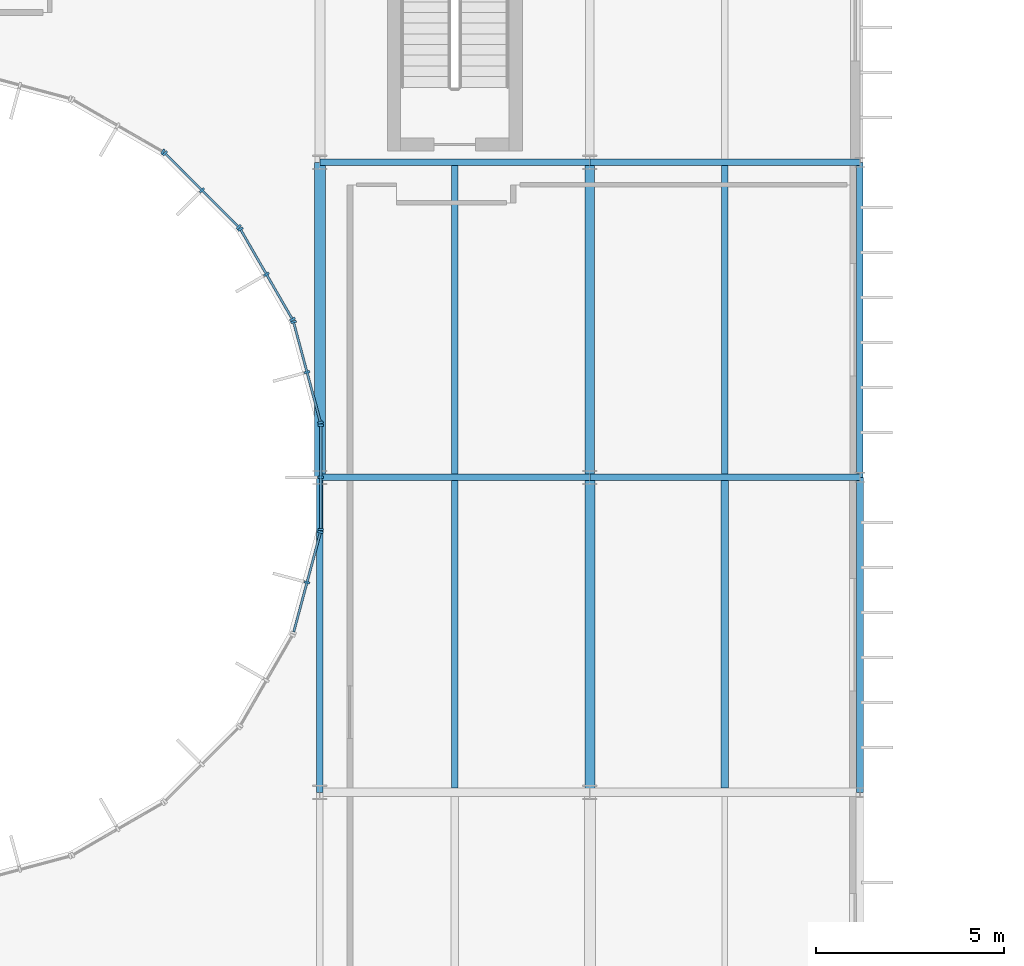
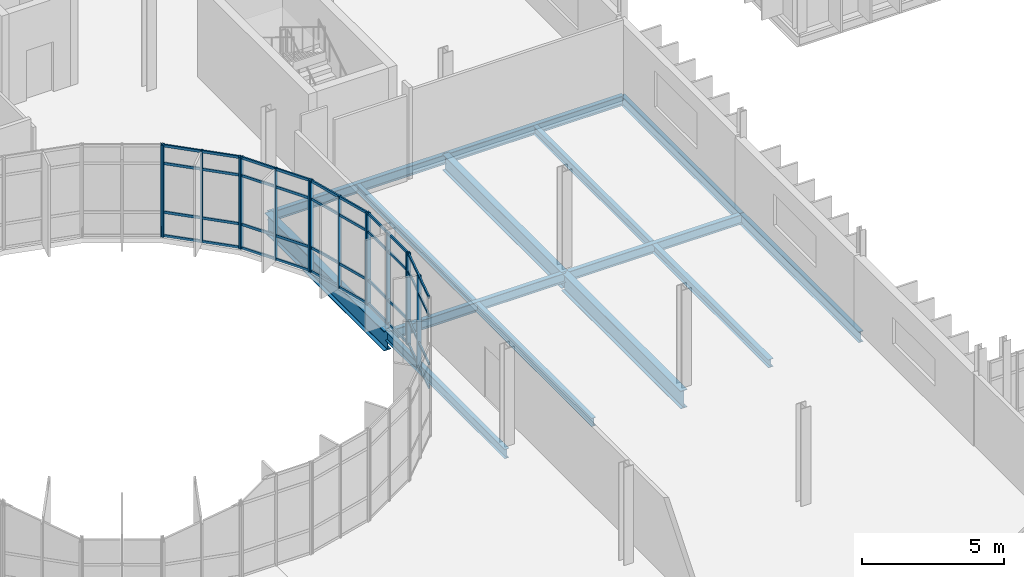
# One storey, part 49 of 119: 35 members, 14 beams, 6 elements without a shape of their own.
"""IFC4 building model written with IfcOpenShell, lengths in metres."""

from ifc_helpers import new_model, si_unit, direction, frame, origin, origin_2d, place, context, subcontext, project, spatial, rectangle, i_section, extrude, material, material_profile, profile_set, type_object, element, aggregate, save


model = new_model("IFC4")

# Units and contexts
model_context = context("Model", 3, precision=1e-05, world=origin(), true_north=direction((0.0, 1.0)))
body_context = subcontext(model_context, "Body", "Model", "MODEL_VIEW")
ifc_project = project(units=[si_unit("LENGTHUNIT", "METRE"), si_unit("AREAUNIT", "SQUARE_METRE"), si_unit("VOLUMEUNIT", "CUBIC_METRE"), si_unit("PLANEANGLEUNIT", "RADIAN"), si_unit("MASSUNIT", "GRAM", prefix="KILO")], contexts=[model_context])

# Site, building, storey
site_placement = place(None, origin())
site = spatial("IfcSite", under=ifc_project, at=site_placement, CompositionType="ELEMENT")
building_placement = place(site_placement, origin())
building = spatial("IfcBuilding", under=site, at=building_placement, Name="Qelthora Terrace Specialist Clinic", CompositionType="ELEMENT")
storey_placement = place(building_placement, frame((0.0, 0.0, 4.800048828125)))
storey = spatial("IfcBuildingStorey", under=building, at=storey_placement, Name="L01", CompositionType="ELEMENT", Elevation=4.800048828125)

# Beams
ifc_material_1 = material(Name="Steel S355", Category="steel")
ifc_material_profile_1 = material_profile(ifc_material_1, i_section(OverallWidth=0.178955078125, OverallDepth=0.409912109375, WebThickness=0.0087890625, FlangeThickness=0.014404296875, FilletRadius=0.011962890625, at=origin_2d()), Name="W410X67")
ifc_profile_set_1 = profile_set([ifc_material_profile_1], Name="Steel S355")
beam_type_1 = type_object("IfcBeamType", Name="BM-W410X67", PredefinedType="BEAM", material=ifc_profile_set_1)
for number, where, z_axis, x_axis, name in (
    (1, (43.199951171875, 84.0, -0.455078125), (1.0, 0.0, 0.0), (0.0, 1.0, 0.0), "Girder BMX-L01-0278"),
    (2, (36.0, 92.39990234375, -0.455078125), (1.0, 0.0, 0.0), (0.0, 1.0, 0.0), "Girder BMX-L01-0290"),
):
    element("IfcBeam", number, at=place(storey_placement, frame(where, z_axis=z_axis, x_axis=x_axis)), inside=storey, type_object=beam_type_1, Name=name, PredefinedType="BEAM", context=body_context, shape_type="SweptSolid", body=[
        extrude(i_section(OverallWidth=0.178955078125, OverallDepth=0.409912109375, WebThickness=0.0087890625, FlangeThickness=0.014404296875, FilletRadius=0.011962890625, at=origin_2d()), origin(), (0.0, 0.0, 1.0), 7.199951171875),
    ])
beam_1_placement = place(storey_placement, frame((36.0, 75.60009765625, -0.455078125), z_axis=(0.0, 1.0, 0.0), x_axis=(-1.0, 0.0, 0.0)))
element("IfcBeam", 3, at=beam_1_placement, inside=storey, type_object=beam_type_1, Name="Girder BMY-L01-0400", PredefinedType="BEAM", context=body_context, shape_type="SweptSolid", body=[
    extrude(i_section(OverallWidth=0.178955078125, OverallDepth=0.409912109375, WebThickness=0.0087890625, FlangeThickness=0.014404296875, FilletRadius=0.011962890625, at=origin_2d()), origin(), (0.0, 0.0, 1.0), 8.39990234375),
])
ifc_material_profile_2 = material_profile(ifc_material_1, i_section(OverallWidth=0.179931640625, OverallDepth=0.4130859375, WebThickness=0.009765625, FlangeThickness=0.01611328125, FilletRadius=0.011962890625, at=origin_2d()), Name="W410X75")
ifc_profile_set_2 = profile_set([ifc_material_profile_2], Name="Steel S355")
beam_type_2 = type_object("IfcBeamType", Name="BM-W410X75", PredefinedType="BEAM", material=ifc_profile_set_2)
for number, where, z_axis, x_axis, name in (
    (4, (36.0, 84.0, -0.45654296875), (1.0, 0.0, 0.0), (0.0, 1.0, 0.0), "Girder BMX-L01-0277"),
    (5, (43.199951171875, 92.39990234375, -0.45654296875), (1.0, 0.0, 0.0), (0.0, 1.0, 0.0), "Girder BMX-L01-0291"),
):
    element("IfcBeam", number, at=place(storey_placement, frame(where, z_axis=z_axis, x_axis=x_axis)), inside=storey, type_object=beam_type_2, Name=name, PredefinedType="BEAM", context=body_context, shape_type="SweptSolid", body=[
        extrude(i_section(OverallWidth=0.179931640625, OverallDepth=0.4130859375, WebThickness=0.009765625, FlangeThickness=0.01611328125, FilletRadius=0.011962890625, at=origin_2d()), origin(), (0.0, 0.0, 1.0), 7.199951171875),
    ])
beam_2_placement = place(storey_placement, frame((50.39990234375, 84.0, -0.45654296875), z_axis=(0.0, 1.0, 0.0), x_axis=(-1.0, 0.0, 0.0)))
element("IfcBeam", 6, at=beam_2_placement, inside=storey, type_object=beam_type_2, Name="Girder BMY-L01-0419", PredefinedType="BEAM", context=body_context, shape_type="SweptSolid", body=[
    extrude(i_section(OverallWidth=0.179931640625, OverallDepth=0.4130859375, WebThickness=0.009765625, FlangeThickness=0.01611328125, FilletRadius=0.011962890625, at=origin_2d()), origin(), (0.0, 0.0, 1.0), 8.39990234375),
])
ifc_material_profile_3 = material_profile(ifc_material_1, i_section(OverallWidth=0.19091796875, OverallDepth=0.4599609375, WebThickness=0.010009765625, FlangeThickness=0.01611328125, FilletRadius=0.012939453125, at=origin_2d()), Name="W460X82")
ifc_profile_set_3 = profile_set([ifc_material_profile_3], Name="Steel S355")
beam_type_3 = type_object("IfcBeamType", Name="BM-W460X82", PredefinedType="BEAM", material=ifc_profile_set_3)
beam_3_placement = place(storey_placement, frame((50.39990234375, 75.60009765625, -0.47998046875), z_axis=(0.0, 1.0, 0.0), x_axis=(-1.0, 0.0, 0.0)))
element("IfcBeam", 7, at=beam_3_placement, inside=storey, type_object=beam_type_3, Name="Girder BMY-L01-0418", PredefinedType="BEAM", context=body_context, shape_type="SweptSolid", body=[
    extrude(i_section(OverallWidth=0.19091796875, OverallDepth=0.4599609375, WebThickness=0.010009765625, FlangeThickness=0.01611328125, FilletRadius=0.012939453125, at=origin_2d()), origin(), (0.0, 0.0, 1.0), 8.39990234375),
])
ifc_material_profile_4 = material_profile(ifc_material_1, i_section(OverallWidth=0.256103515625, OverallDepth=0.693115234375, WebThickness=0.014404296875, FlangeThickness=0.023681640625, FilletRadius=0.01806640625, at=origin_2d()), Name="W690X170")
ifc_profile_set_4 = profile_set([ifc_material_profile_4], Name="Steel S355")
beam_type_4 = type_object("IfcBeamType", Name="BM-W690X170", PredefinedType="BEAM", material=ifc_profile_set_4)
beam_4_placement = place(storey_placement, frame((43.199951171875, 84.0, -0.596435546875), z_axis=(0.0, 1.0, 0.0), x_axis=(-1.0, 0.0, 0.0)))
element("IfcBeam", 8, at=beam_4_placement, inside=storey, type_object=beam_type_4, Name="Girder BMY-L01-0413", PredefinedType="BEAM", context=body_context, shape_type="SweptSolid", body=[
    extrude(i_section(OverallWidth=0.256103515625, OverallDepth=0.693115234375, WebThickness=0.014404296875, FlangeThickness=0.023681640625, FilletRadius=0.01806640625, at=origin_2d()), origin(), (0.0, 0.0, 1.0), 8.39990234375),
])
ifc_material_profile_5 = material_profile(ifc_material_1, i_section(OverallWidth=0.26806640625, OverallDepth=0.77001953125, WebThickness=0.015625, FlangeThickness=0.025390625, FilletRadius=0.01904296875, at=origin_2d()), Name="W760X196")
ifc_profile_set_5 = profile_set([ifc_material_profile_5], Name="Steel S355")
beam_type_5 = type_object("IfcBeamType", Name="BM-W760X196", PredefinedType="BEAM", material=ifc_profile_set_5)
beam_5_placement = place(storey_placement, frame((43.199951171875, 75.60009765625, -0.635009765625), z_axis=(0.0, 1.0, 0.0), x_axis=(-1.0, 0.0, 0.0)))
element("IfcBeam", 9, at=beam_5_placement, inside=storey, type_object=beam_type_5, Name="Girder BMY-L01-0412", PredefinedType="BEAM", context=body_context, shape_type="SweptSolid", body=[
    extrude(i_section(OverallWidth=0.26806640625, OverallDepth=0.77001953125, WebThickness=0.015625, FlangeThickness=0.025390625, FilletRadius=0.01904296875, at=origin_2d()), origin(), (0.0, 0.0, 1.0), 8.39990234375),
])
ifc_material_profile_6 = material_profile(ifc_material_1, i_section(OverallWidth=0.2939453125, OverallDepth=0.85107421875, WebThickness=0.01611328125, FlangeThickness=0.02685546875, FilletRadius=0.02001953125, at=origin_2d()), Name="W840X226")
ifc_profile_set_6 = profile_set([ifc_material_profile_6], Name="Steel S355")
beam_type_6 = type_object("IfcBeamType", Name="BM-W840X226", PredefinedType="BEAM", material=ifc_profile_set_6)
beam_6_placement = place(storey_placement, frame((36.0, 84.0, -0.675537109375), z_axis=(0.0, 1.0, 0.0), x_axis=(-1.0, 0.0, 0.0)))
element("IfcBeam", 10, at=beam_6_placement, inside=storey, type_object=beam_type_6, Name="Girder BMY-L01-0401", PredefinedType="BEAM", context=body_context, shape_type="SweptSolid", body=[
    extrude(i_section(OverallWidth=0.2939453125, OverallDepth=0.85107421875, WebThickness=0.01611328125, FlangeThickness=0.02685546875, FilletRadius=0.02001953125, at=origin_2d()), origin(), (0.0, 0.0, 1.0), 8.39990234375),
])

# Curtain wall, members
ifc_material_2 = material(Name="Aluminium anodized bronze", Category="aluminium")
curtain_wall_type = type_object("IfcCurtainWallType", Name="CW-CRTW-UPP", PredefinedType="NOTDEFINED", material=ifc_material_2)
curtain_wall_1_placement = place(storey_placement, origin())
curtain_wall_1 = element("IfcCurtainWall", 11, at=curtain_wall_1_placement, inside=storey, type_object=curtain_wall_type, Name="Curtain wall CW-CW-L01-01", PredefinedType="NOTDEFINED")
ifc_material_profile_7 = material_profile(ifc_material_2, rectangle(XDim=0.06005859375, YDim=0.14990234375, at=origin_2d()), Name="CWM60X150")
ifc_profile_set_7 = profile_set([ifc_material_profile_7], Name="Aluminium anodized bronze")
member_type_1 = type_object("IfcMemberType", Name="CWM-60X150", PredefinedType="MULLION", material=ifc_profile_set_7)
member_1_placement = place(storey_placement, frame((36.018310546875, 85.4599609375, 0.0), z_axis=(0.0, 0.0, 1.0), x_axis=(-0.258820356987, 0.96592547477, 0.0)))
member_1 = element("IfcMember", 12, at=member_1_placement, type_object=member_type_1, Name="CW-CW-L01-01 mullion 1", PredefinedType="MULLION", context=body_context, shape_type="SweptSolid", body=[
    extrude(rectangle(XDim=0.06005859375, YDim=0.14990234375, at=origin_2d()), origin(), (0.0, 0.0, 1.0), 3.945068359375),
])
member_2_placement = place(storey_placement, frame((35.65869140625, 86.802490234375, 0.0), z_axis=(0.0, 0.0, 1.0), x_axis=(-0.258820356987, 0.96592547477, 0.0)))
member_2 = element("IfcMember", 13, at=member_2_placement, type_object=member_type_1, Name="CW-CW-L01-01 mullion 2", PredefinedType="MULLION", context=body_context, shape_type="SweptSolid", body=[
    extrude(rectangle(XDim=0.06005859375, YDim=0.14990234375, at=origin_2d()), origin(), (0.0, 0.0, 1.0), 3.945068359375),
])
member_3_placement = place(storey_placement, frame((35.299072265625, 88.144775390625, 0.0), z_axis=(0.0, 0.0, 1.0), x_axis=(-0.258820356987, 0.96592547477, 0.0)))
member_3 = element("IfcMember", 14, at=member_3_placement, type_object=member_type_1, Name="CW-CW-L01-01 mullion 3", PredefinedType="MULLION", context=body_context, shape_type="SweptSolid", body=[
    extrude(rectangle(XDim=0.06005859375, YDim=0.14990234375, at=origin_2d()), origin(), (0.0, 0.0, 1.0), 3.945068359375),
])

curtain_wall_2_placement = place(storey_placement, origin())
curtain_wall_2 = element("IfcCurtainWall", 15, at=curtain_wall_2_placement, inside=storey, type_object=curtain_wall_type, Name="Curtain wall CW-CW-L01-02", PredefinedType="NOTDEFINED")
member_4_placement = place(storey_placement, frame((35.271728515625, 88.210205078125, 0.0), z_axis=(0.0, 0.0, 1.0), x_axis=(-0.499999597971, 0.866025635896, 0.0)))
member_4 = element("IfcMember", 16, at=member_4_placement, type_object=member_type_1, Name="CW-CW-L01-02 mullion 1", PredefinedType="MULLION", context=body_context, shape_type="SweptSolid", body=[
    extrude(rectangle(XDim=0.06005859375, YDim=0.14990234375, at=origin_2d()), origin(), (0.0, 0.0, 1.0), 3.945068359375),
])
member_5_placement = place(storey_placement, frame((34.576904296875, 89.413818359375, 0.0), z_axis=(0.0, 0.0, 1.0), x_axis=(-0.499999597971, 0.866025635896, 0.0)))
member_5 = element("IfcMember", 17, at=member_5_placement, type_object=member_type_1, Name="CW-CW-L01-02 mullion 2", PredefinedType="MULLION", context=body_context, shape_type="SweptSolid", body=[
    extrude(rectangle(XDim=0.06005859375, YDim=0.14990234375, at=origin_2d()), origin(), (0.0, 0.0, 1.0), 3.945068359375),
])
member_6_placement = place(storey_placement, frame((33.882080078125, 90.6171875, 0.0), z_axis=(0.0, 0.0, 1.0), x_axis=(-0.499999597971, 0.866025635896, 0.0)))
member_6 = element("IfcMember", 18, at=member_6_placement, type_object=member_type_1, Name="CW-CW-L01-02 mullion 3", PredefinedType="MULLION", context=body_context, shape_type="SweptSolid", body=[
    extrude(rectangle(XDim=0.06005859375, YDim=0.14990234375, at=origin_2d()), origin(), (0.0, 0.0, 1.0), 3.945068359375),
])

curtain_wall_3_placement = place(storey_placement, origin())
curtain_wall_3 = element("IfcCurtainWall", 19, at=curtain_wall_3_placement, inside=storey, type_object=curtain_wall_type, Name="Curtain wall CW-CW-L01-03", PredefinedType="NOTDEFINED")
member_7_placement = place(storey_placement, frame((33.8388671875, 90.673583984375, 0.0), z_axis=(0.0, 0.0, 1.0), x_axis=(-0.707106781187, 0.707106781187, 0.0)))
member_7 = element("IfcMember", 20, at=member_7_placement, type_object=member_type_1, Name="CW-CW-L01-03 mullion 1", PredefinedType="MULLION", context=body_context, shape_type="SweptSolid", body=[
    extrude(rectangle(XDim=0.06005859375, YDim=0.14990234375, at=origin_2d()), origin(), (0.0, 0.0, 1.0), 3.945068359375),
])
member_8_placement = place(storey_placement, frame((32.856201171875, 91.65625, 0.0), z_axis=(0.0, 0.0, 1.0), x_axis=(-0.707106781187, 0.707106781187, 0.0)))
member_8 = element("IfcMember", 21, at=member_8_placement, type_object=member_type_1, Name="CW-CW-L01-03 mullion 2", PredefinedType="MULLION", context=body_context, shape_type="SweptSolid", body=[
    extrude(rectangle(XDim=0.06005859375, YDim=0.14990234375, at=origin_2d()), origin(), (0.0, 0.0, 1.0), 3.945068359375),
])
member_9_placement = place(storey_placement, frame((31.87353515625, 92.638916015625, 0.0), z_axis=(0.0, 0.0, 1.0), x_axis=(-0.707106781187, 0.707106781187, 0.0)))
member_9 = element("IfcMember", 22, at=member_9_placement, type_object=member_type_1, Name="CW-CW-L01-03 mullion 3", PredefinedType="MULLION", context=body_context, shape_type="SweptSolid", body=[
    extrude(rectangle(XDim=0.06005859375, YDim=0.14990234375, at=origin_2d()), origin(), (0.0, 0.0, 1.0), 3.945068359375),
])

# Curtain wall, member
curtain_wall_4_placement = place(storey_placement, origin())
curtain_wall_4 = element("IfcCurtainWall", 23, at=curtain_wall_4_placement, inside=storey, type_object=curtain_wall_type, Name="Curtain wall CW-CW-L01-04", PredefinedType="NOTDEFINED")
member_10_placement = place(storey_placement, frame((31.8173828125, 92.68212890625, 0.0), z_axis=(0.0, 0.0, 1.0), x_axis=(-0.866025635896, 0.499999597971, 0.0)))
member_10 = element("IfcMember", 24, at=member_10_placement, type_object=member_type_1, Name="CW-CW-L01-04 mullion 1", PredefinedType="MULLION", context=body_context, shape_type="SweptSolid", body=[
    extrude(rectangle(XDim=0.06005859375, YDim=0.14990234375, at=origin_2d()), origin(), (0.0, 0.0, 1.0), 3.945068359375),
])
aggregate(curtain_wall_4, [member_10])

# Curtain wall, members
curtain_wall_5_placement = place(storey_placement, origin())
curtain_wall_5 = element("IfcCurtainWall", 25, at=curtain_wall_5_placement, inside=storey, type_object=curtain_wall_type, Name="Curtain wall CW-CW-L01-23", PredefinedType="NOTDEFINED")
member_11_placement = place(storey_placement, frame((35.65869140625, 81.197509765625, 0.0), z_axis=(0.0, 0.0, 1.0), x_axis=(0.258820356987, 0.96592547477, 0.0)))
member_11 = element("IfcMember", 26, at=member_11_placement, type_object=member_type_1, Name="CW-CW-L01-23 mullion 2", PredefinedType="MULLION", context=body_context, shape_type="SweptSolid", body=[
    extrude(rectangle(XDim=0.06005859375, YDim=0.14990234375, at=origin_2d()), origin(), (0.0, 0.0, 1.0), 3.945068359375),
])
member_12_placement = place(storey_placement, frame((36.018310546875, 82.5400390625, 0.0), z_axis=(0.0, 0.0, 1.0), x_axis=(0.258820356987, 0.96592547477, 0.0)))
member_12 = element("IfcMember", 27, at=member_12_placement, type_object=member_type_1, Name="CW-CW-L01-23 mullion 3", PredefinedType="MULLION", context=body_context, shape_type="SweptSolid", body=[
    extrude(rectangle(XDim=0.06005859375, YDim=0.14990234375, at=origin_2d()), origin(), (0.0, 0.0, 1.0), 3.945068359375),
])

curtain_wall_6_placement = place(storey_placement, origin())
curtain_wall_6 = element("IfcCurtainWall", 28, at=curtain_wall_6_placement, inside=storey, type_object=curtain_wall_type, Name="Curtain wall CW-CW-L01-24", PredefinedType="NOTDEFINED")
member_13_placement = place(storey_placement, frame((36.027587890625, 82.6103515625, 0.0), z_axis=(0.0, 0.0, 1.0), x_axis=(0.0, 1.0, 0.0)))
member_13 = element("IfcMember", 29, at=member_13_placement, type_object=member_type_1, Name="CW-CW-L01-24 mullion 1", PredefinedType="MULLION", context=body_context, shape_type="SweptSolid", body=[
    extrude(rectangle(XDim=0.06005859375, YDim=0.14990234375, at=origin_2d()), origin(), (0.0, 0.0, 1.0), 3.945068359375),
])
member_14_placement = place(storey_placement, frame((36.027587890625, 84.0, 0.0), z_axis=(0.0, 0.0, 1.0), x_axis=(0.0, 1.0, 0.0)))
member_14 = element("IfcMember", 30, at=member_14_placement, type_object=member_type_1, Name="CW-CW-L01-24 mullion 2", PredefinedType="MULLION", context=body_context, shape_type="SweptSolid", body=[
    extrude(rectangle(XDim=0.06005859375, YDim=0.14990234375, at=origin_2d()), origin(), (0.0, 0.0, 1.0), 3.945068359375),
])
member_15_placement = place(storey_placement, frame((36.027587890625, 85.3896484375, 0.0), z_axis=(0.0, 0.0, 1.0), x_axis=(0.0, 1.0, 0.0)))
member_15 = element("IfcMember", 31, at=member_15_placement, type_object=member_type_1, Name="CW-CW-L01-24 mullion 3", PredefinedType="MULLION", context=body_context, shape_type="SweptSolid", body=[
    extrude(rectangle(XDim=0.06005859375, YDim=0.14990234375, at=origin_2d()), origin(), (0.0, 0.0, 1.0), 3.945068359375),
])

# Member
ifc_material_profile_8 = material_profile(ifc_material_2, rectangle(XDim=0.06005859375, YDim=0.110107421875, at=origin_2d()), Name="CWT60X110")
ifc_profile_set_8 = profile_set([ifc_material_profile_8], Name="Aluminium anodized bronze")
member_type_2 = type_object("IfcMemberType", Name="CWT-60X110", PredefinedType="USERDEFINED", material=ifc_profile_set_8)
member_16_placement = place(storey_placement, frame((36.01318359375, 85.4794921875, 0.0400390625), z_axis=(-0.258816272122, 0.965926569303, 0.0), x_axis=(-0.965926569303, -0.258816272122, 0.0)))
member_16 = element("IfcMember", 32, at=member_16_placement, type_object=member_type_2, Name="CW-CW-L01-01 transom 1", ObjectType="TRANSOM", PredefinedType="USERDEFINED", context=body_context, shape_type="SweptSolid", body=[
    extrude(rectangle(XDim=0.06005859375, YDim=0.110107421875, at=origin_2d()), origin(), (0.0, 0.0, 1.0), 2.7392578125),
])

member_17_placement = place(storey_placement, frame((36.01318359375, 85.4794921875, 1.050048828125), z_axis=(-0.258816272122, 0.965926569303, 0.0), x_axis=(-0.965926569303, -0.258816272122, 0.0)))
member_17 = element("IfcMember", 33, at=member_17_placement, type_object=member_type_2, Name="CW-CW-L01-01 transom 2", ObjectType="TRANSOM", PredefinedType="USERDEFINED", context=body_context, shape_type="SweptSolid", body=[
    extrude(rectangle(XDim=0.06005859375, YDim=0.110107421875, at=origin_2d()), origin(), (0.0, 0.0, 1.0), 2.7392578125),
])

member_18_placement = place(storey_placement, frame((36.01318359375, 85.4794921875, 3.14501953125), z_axis=(-0.258816272122, 0.965926569303, 0.0), x_axis=(-0.965926569303, -0.258816272122, 0.0)))
member_18 = element("IfcMember", 34, at=member_18_placement, type_object=member_type_2, Name="CW-CW-L01-01 transom 3", ObjectType="TRANSOM", PredefinedType="USERDEFINED", context=body_context, shape_type="SweptSolid", body=[
    extrude(rectangle(XDim=0.06005859375, YDim=0.110107421875, at=origin_2d()), origin(), (0.0, 0.0, 1.0), 2.7392578125),
])

member_19_placement = place(storey_placement, frame((36.01318359375, 85.4794921875, 3.905029296875), z_axis=(-0.258816272122, 0.965926569303, 0.0), x_axis=(-0.965926569303, -0.258816272122, 0.0)))
member_19 = element("IfcMember", 35, at=member_19_placement, type_object=member_type_2, Name="CW-CW-L01-01 transom 4", ObjectType="TRANSOM", PredefinedType="USERDEFINED", context=body_context, shape_type="SweptSolid", body=[
    extrude(rectangle(XDim=0.06005859375, YDim=0.110107421875, at=origin_2d()), origin(), (0.0, 0.0, 1.0), 2.7392578125),
])

aggregate(curtain_wall_1, [member_1, member_2, member_3, member_16, member_17, member_18, member_19])

member_20_placement = place(storey_placement, frame((35.26171875, 88.2275390625, 0.0400390625), z_axis=(-0.499953886166, 0.866052025982, 0.0), x_axis=(-0.866052025982, -0.499953886166, 0.0)))
member_20 = element("IfcMember", 36, at=member_20_placement, type_object=member_type_2, Name="CW-CW-L01-02 transom 1", ObjectType="TRANSOM", PredefinedType="USERDEFINED", context=body_context, shape_type="SweptSolid", body=[
    extrude(rectangle(XDim=0.06005859375, YDim=0.110107421875, at=origin_2d()), origin(), (0.0, 0.0, 1.0), 2.739501953125),
])

member_21_placement = place(storey_placement, frame((35.26171875, 88.2275390625, 1.050048828125), z_axis=(-0.499953886166, 0.866052025982, 0.0), x_axis=(-0.866052025982, -0.499953886166, 0.0)))
member_21 = element("IfcMember", 37, at=member_21_placement, type_object=member_type_2, Name="CW-CW-L01-02 transom 2", ObjectType="TRANSOM", PredefinedType="USERDEFINED", context=body_context, shape_type="SweptSolid", body=[
    extrude(rectangle(XDim=0.06005859375, YDim=0.110107421875, at=origin_2d()), origin(), (0.0, 0.0, 1.0), 2.739501953125),
])

member_22_placement = place(storey_placement, frame((35.26171875, 88.2275390625, 3.14501953125), z_axis=(-0.499953886166, 0.866052025982, 0.0), x_axis=(-0.866052025982, -0.499953886166, 0.0)))
member_22 = element("IfcMember", 38, at=member_22_placement, type_object=member_type_2, Name="CW-CW-L01-02 transom 3", ObjectType="TRANSOM", PredefinedType="USERDEFINED", context=body_context, shape_type="SweptSolid", body=[
    extrude(rectangle(XDim=0.06005859375, YDim=0.110107421875, at=origin_2d()), origin(), (0.0, 0.0, 1.0), 2.739501953125),
])

member_23_placement = place(storey_placement, frame((35.26171875, 88.2275390625, 3.905029296875), z_axis=(-0.499953886166, 0.866052025982, 0.0), x_axis=(-0.866052025982, -0.499953886166, 0.0)))
member_23 = element("IfcMember", 39, at=member_23_placement, type_object=member_type_2, Name="CW-CW-L01-02 transom 4", ObjectType="TRANSOM", PredefinedType="USERDEFINED", context=body_context, shape_type="SweptSolid", body=[
    extrude(rectangle(XDim=0.06005859375, YDim=0.110107421875, at=origin_2d()), origin(), (0.0, 0.0, 1.0), 2.739501953125),
])

aggregate(curtain_wall_2, [member_4, member_5, member_6, member_20, member_21, member_22, member_23])

member_24_placement = place(storey_placement, frame((33.82470703125, 90.687744140625, 0.0400390625), z_axis=(-0.707106781187, 0.707106781187, 0.0), x_axis=(-0.707106781187, -0.707106781187, 0.0)))
member_24 = element("IfcMember", 40, at=member_24_placement, type_object=member_type_2, Name="CW-CW-L01-03 transom 1", ObjectType="TRANSOM", PredefinedType="USERDEFINED", context=body_context, shape_type="SweptSolid", body=[
    extrude(rectangle(XDim=0.06005859375, YDim=0.110107421875, at=origin_2d()), origin(), (0.0, 0.0, 1.0), 2.7392578125),
])

member_25_placement = place(storey_placement, frame((33.82470703125, 90.687744140625, 1.050048828125), z_axis=(-0.707106781187, 0.707106781187, 0.0), x_axis=(-0.707106781187, -0.707106781187, 0.0)))
member_25 = element("IfcMember", 41, at=member_25_placement, type_object=member_type_2, Name="CW-CW-L01-03 transom 2", ObjectType="TRANSOM", PredefinedType="USERDEFINED", context=body_context, shape_type="SweptSolid", body=[
    extrude(rectangle(XDim=0.06005859375, YDim=0.110107421875, at=origin_2d()), origin(), (0.0, 0.0, 1.0), 2.7392578125),
])

member_26_placement = place(storey_placement, frame((33.82470703125, 90.687744140625, 3.14501953125), z_axis=(-0.707106781187, 0.707106781187, 0.0), x_axis=(-0.707106781187, -0.707106781187, 0.0)))
member_26 = element("IfcMember", 42, at=member_26_placement, type_object=member_type_2, Name="CW-CW-L01-03 transom 3", ObjectType="TRANSOM", PredefinedType="USERDEFINED", context=body_context, shape_type="SweptSolid", body=[
    extrude(rectangle(XDim=0.06005859375, YDim=0.110107421875, at=origin_2d()), origin(), (0.0, 0.0, 1.0), 2.7392578125),
])

member_27_placement = place(storey_placement, frame((33.82470703125, 90.687744140625, 3.905029296875), z_axis=(-0.707106781187, 0.707106781187, 0.0), x_axis=(-0.707106781187, -0.707106781187, 0.0)))
member_27 = element("IfcMember", 43, at=member_27_placement, type_object=member_type_2, Name="CW-CW-L01-03 transom 4", ObjectType="TRANSOM", PredefinedType="USERDEFINED", context=body_context, shape_type="SweptSolid", body=[
    extrude(rectangle(XDim=0.06005859375, YDim=0.110107421875, at=origin_2d()), origin(), (0.0, 0.0, 1.0), 2.7392578125),
])

aggregate(curtain_wall_3, [member_7, member_8, member_9, member_24, member_25, member_26, member_27])

member_28_placement = place(storey_placement, frame((35.30419921875, 79.87451171875, 0.0400390625), z_axis=(0.258816272122, 0.965926569303, 0.0), x_axis=(-0.965926569303, 0.258816272122, 0.0)))
member_28 = element("IfcMember", 44, at=member_28_placement, type_object=member_type_2, Name="CW-CW-L01-23 transom 1", ObjectType="TRANSOM", PredefinedType="USERDEFINED", context=body_context, shape_type="SweptSolid", body=[
    extrude(rectangle(XDim=0.06005859375, YDim=0.110107421875, at=origin_2d()), origin(), (0.0, 0.0, 1.0), 2.7392578125),
])

member_29_placement = place(storey_placement, frame((35.30419921875, 79.87451171875, 1.050048828125), z_axis=(0.258816272122, 0.965926569303, 0.0), x_axis=(-0.965926569303, 0.258816272122, 0.0)))
member_29 = element("IfcMember", 45, at=member_29_placement, type_object=member_type_2, Name="CW-CW-L01-23 transom 2", ObjectType="TRANSOM", PredefinedType="USERDEFINED", context=body_context, shape_type="SweptSolid", body=[
    extrude(rectangle(XDim=0.06005859375, YDim=0.110107421875, at=origin_2d()), origin(), (0.0, 0.0, 1.0), 2.7392578125),
])

member_30_placement = place(storey_placement, frame((35.30419921875, 79.87451171875, 3.14501953125), z_axis=(0.258816272122, 0.965926569303, 0.0), x_axis=(-0.965926569303, 0.258816272122, 0.0)))
member_30 = element("IfcMember", 46, at=member_30_placement, type_object=member_type_2, Name="CW-CW-L01-23 transom 3", ObjectType="TRANSOM", PredefinedType="USERDEFINED", context=body_context, shape_type="SweptSolid", body=[
    extrude(rectangle(XDim=0.06005859375, YDim=0.110107421875, at=origin_2d()), origin(), (0.0, 0.0, 1.0), 2.7392578125),
])

member_31_placement = place(storey_placement, frame((35.30419921875, 79.87451171875, 3.905029296875), z_axis=(0.258816272122, 0.965926569303, 0.0), x_axis=(-0.965926569303, 0.258816272122, 0.0)))
member_31 = element("IfcMember", 47, at=member_31_placement, type_object=member_type_2, Name="CW-CW-L01-23 transom 4", ObjectType="TRANSOM", PredefinedType="USERDEFINED", context=body_context, shape_type="SweptSolid", body=[
    extrude(rectangle(XDim=0.06005859375, YDim=0.110107421875, at=origin_2d()), origin(), (0.0, 0.0, 1.0), 2.7392578125),
])

aggregate(curtain_wall_5, [member_11, member_12, member_28, member_29, member_30, member_31])

member_32_placement = place(storey_placement, frame((36.027587890625, 82.63037109375, 0.0400390625), z_axis=(0.0, 1.0, 0.0), x_axis=(-1.0, 0.0, 0.0)))
member_32 = element("IfcMember", 48, at=member_32_placement, type_object=member_type_2, Name="CW-CW-L01-24 transom 1", ObjectType="TRANSOM", PredefinedType="USERDEFINED", context=body_context, shape_type="SweptSolid", body=[
    extrude(rectangle(XDim=0.06005859375, YDim=0.110107421875, at=origin_2d()), origin(), (0.0, 0.0, 1.0), 2.7392578125),
])

member_33_placement = place(storey_placement, frame((36.027587890625, 82.63037109375, 1.050048828125), z_axis=(0.0, 1.0, 0.0), x_axis=(-1.0, 0.0, 0.0)))
member_33 = element("IfcMember", 49, at=member_33_placement, type_object=member_type_2, Name="CW-CW-L01-24 transom 2", ObjectType="TRANSOM", PredefinedType="USERDEFINED", context=body_context, shape_type="SweptSolid", body=[
    extrude(rectangle(XDim=0.06005859375, YDim=0.110107421875, at=origin_2d()), origin(), (0.0, 0.0, 1.0), 2.7392578125),
])

member_34_placement = place(storey_placement, frame((36.027587890625, 82.63037109375, 3.14501953125), z_axis=(0.0, 1.0, 0.0), x_axis=(-1.0, 0.0, 0.0)))
member_34 = element("IfcMember", 50, at=member_34_placement, type_object=member_type_2, Name="CW-CW-L01-24 transom 3", ObjectType="TRANSOM", PredefinedType="USERDEFINED", context=body_context, shape_type="SweptSolid", body=[
    extrude(rectangle(XDim=0.06005859375, YDim=0.110107421875, at=origin_2d()), origin(), (0.0, 0.0, 1.0), 2.7392578125),
])

member_35_placement = place(storey_placement, frame((36.027587890625, 82.63037109375, 3.905029296875), z_axis=(0.0, 1.0, 0.0), x_axis=(-1.0, 0.0, 0.0)))
member_35 = element("IfcMember", 51, at=member_35_placement, type_object=member_type_2, Name="CW-CW-L01-24 transom 4", ObjectType="TRANSOM", PredefinedType="USERDEFINED", context=body_context, shape_type="SweptSolid", body=[
    extrude(rectangle(XDim=0.06005859375, YDim=0.110107421875, at=origin_2d()), origin(), (0.0, 0.0, 1.0), 2.7392578125),
])

aggregate(curtain_wall_6, [member_13, member_14, member_15, member_32, member_33, member_34, member_35])

# Beams
ifc_material_profile_9 = material_profile(ifc_material_1, i_section(OverallWidth=0.1669921875, OverallDepth=0.31689453125, WebThickness=0.007568359375, FlangeThickness=0.01318359375, FilletRadius=0.010009765625, at=origin_2d()), Name="W310X52")
ifc_profile_set_9 = profile_set([ifc_material_profile_9], Name="Steel S355")
beam_type_7 = type_object("IfcBeamType", Name="JST-W310X52", PredefinedType="JOIST", material=ifc_profile_set_9)
beam_7_placement = place(storey_placement, frame((39.60009765625, 84.090087890625, -0.408447265625), z_axis=(0.0, 1.0, 0.0), x_axis=(-1.0, 0.0, 0.0)))
element("IfcBeam", 52, at=beam_7_placement, inside=storey, type_object=beam_type_7, Name="Composite floor joist JST-L01-0081", PredefinedType="JOIST", context=body_context, shape_type="SweptSolid", body=[
    extrude(i_section(OverallWidth=0.1669921875, OverallDepth=0.31689453125, WebThickness=0.007568359375, FlangeThickness=0.01318359375, FilletRadius=0.010009765625, at=origin_2d()), origin(), (0.0, 0.0, 1.0), 8.220458984375),
])
ifc_material_profile_10 = material_profile(ifc_material_1, i_section(OverallWidth=0.172119140625, OverallDepth=0.35791015625, WebThickness=0.0078125, FlangeThickness=0.01318359375, FilletRadius=0.010986328125, at=origin_2d()), Name="W360X57")
ifc_profile_set_10 = profile_set([ifc_material_profile_10], Name="Steel S355")
beam_type_8 = type_object("IfcBeamType", Name="JST-W360X57", PredefinedType="JOIST", material=ifc_profile_set_10)
beam_8_placement = place(storey_placement, frame((39.60009765625, 75.715087890625, -0.428955078125), z_axis=(0.0, 1.0, 0.0), x_axis=(-1.0, 0.0, 0.0)))
element("IfcBeam", 53, at=beam_8_placement, inside=storey, type_object=beam_type_8, Name="Composite floor joist JST-L01-0080", PredefinedType="JOIST", context=body_context, shape_type="SweptSolid", body=[
    extrude(i_section(OverallWidth=0.172119140625, OverallDepth=0.35791015625, WebThickness=0.0078125, FlangeThickness=0.01318359375, FilletRadius=0.010986328125, at=origin_2d()), origin(), (0.0, 0.0, 1.0), 8.19482421875),
])
beam_9_placement = place(storey_placement, frame((46.800048828125, 84.089599609375, -0.428955078125), z_axis=(0.0, 1.0, 0.0), x_axis=(-1.0, 0.0, 0.0)))
element("IfcBeam", 54, at=beam_9_placement, inside=storey, type_object=beam_type_8, Name="Composite floor joist JST-L01-0086", PredefinedType="JOIST", context=body_context, shape_type="SweptSolid", body=[
    extrude(i_section(OverallWidth=0.172119140625, OverallDepth=0.35791015625, WebThickness=0.0078125, FlangeThickness=0.01318359375, FilletRadius=0.010986328125, at=origin_2d()), origin(), (0.0, 0.0, 1.0), 8.220458984375),
])
ifc_material_profile_11 = material_profile(ifc_material_1, i_section(OverallWidth=0.202880859375, OverallDepth=0.346923828125, WebThickness=0.0078125, FlangeThickness=0.013427734375, FilletRadius=0.010986328125, at=origin_2d()), Name="W360X64")
ifc_profile_set_11 = profile_set([ifc_material_profile_11], Name="Steel S355")
beam_type_9 = type_object("IfcBeamType", Name="JST-W360X64", PredefinedType="JOIST", material=ifc_profile_set_11)
beam_10_placement = place(storey_placement, frame((46.800048828125, 75.714599609375, -0.423583984375), z_axis=(0.0, 1.0, 0.0), x_axis=(-1.0, 0.0, 0.0)))
element("IfcBeam", 55, at=beam_10_placement, inside=storey, type_object=beam_type_9, Name="Composite floor joist JST-L01-0085", PredefinedType="JOIST", context=body_context, shape_type="SweptSolid", body=[
    extrude(i_section(OverallWidth=0.202880859375, OverallDepth=0.346923828125, WebThickness=0.0078125, FlangeThickness=0.013427734375, FilletRadius=0.010986328125, at=origin_2d()), origin(), (0.0, 0.0, 1.0), 8.19580078125),
])

save(model, "model.ifc")
